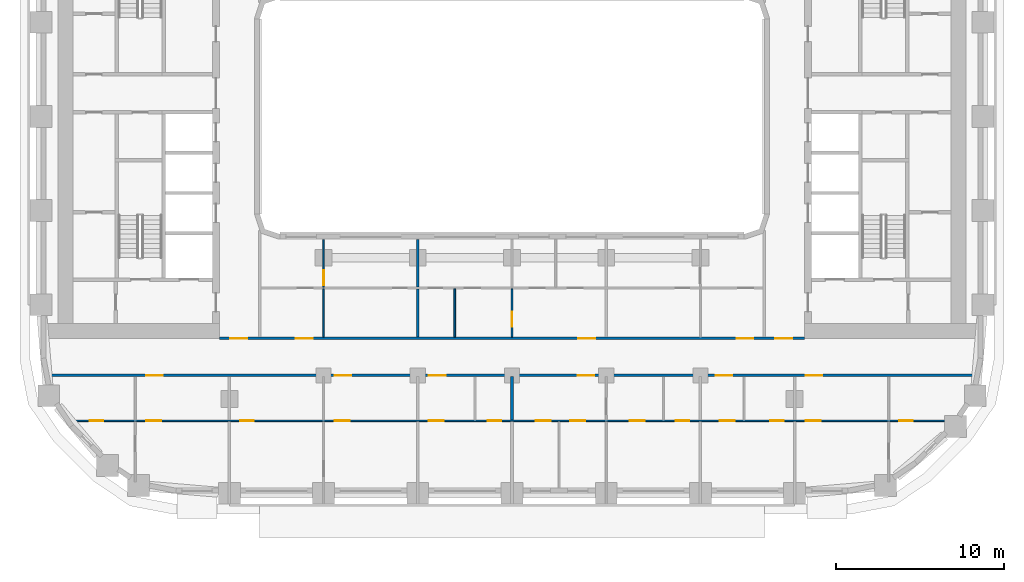
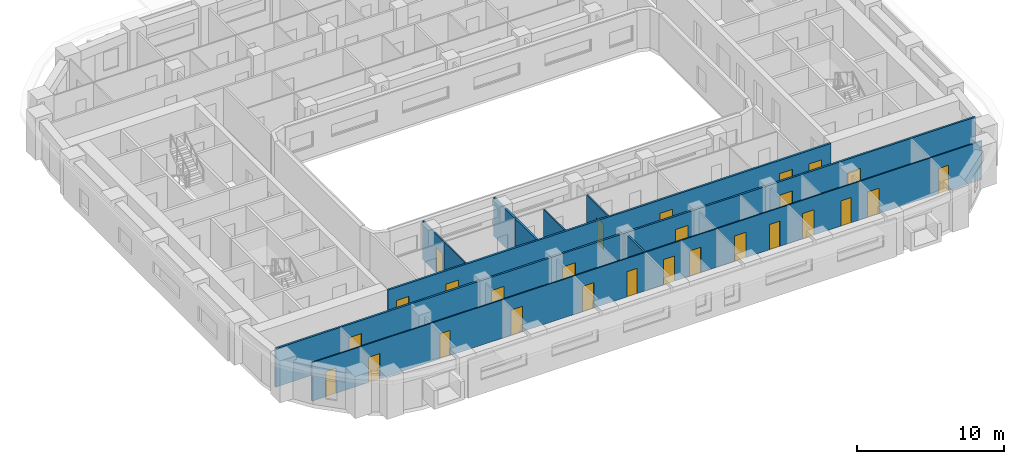
# One storey, part 3 of 22: 27 doors, 10 walls, 27 openings.
"""IFC4 building model written with IfcOpenShell, lengths in metres."""

from ifc_helpers import new_model, si_unit, direction, frame, frame_2d, origin, place, context, subcontext, project, spatial, rectangle, extrude, material, layer, layer_set, type_object, element, fill, save


model = new_model("IFC4")

# Units and contexts
model_context = context("Model", 3, precision=1e-05, world=origin(), true_north=direction((0.0, 1.0)))
body_context = subcontext(model_context, "Body", "Model", "MODEL_VIEW")
ifc_project = project(units=[si_unit("LENGTHUNIT", "METRE"), si_unit("AREAUNIT", "SQUARE_METRE"), si_unit("VOLUMEUNIT", "CUBIC_METRE"), si_unit("PLANEANGLEUNIT", "RADIAN"), si_unit("MASSUNIT", "GRAM", prefix="KILO")], contexts=[model_context])

# Site, building, storey
site_placement = place(None, origin())
site = spatial("IfcSite", under=ifc_project, at=site_placement, CompositionType="ELEMENT")
building_placement = place(site_placement, origin())
building = spatial("IfcBuilding", under=site, at=building_placement, Name="Kiln Ring Residences", CompositionType="ELEMENT")
storey_placement = place(building_placement, frame((0.0, 0.0, 97.300048828125)))
storey = spatial("IfcBuildingStorey", under=building, at=storey_placement, Name="L24", CompositionType="ELEMENT", Elevation=97.300048828125)

# Wall, openings, doors
ifc_material_1 = material(Name="Gypsum board on steel studs", Category="steel")
ifc_layer_1 = layer(ifc_material_1, 0.10009765625)
ifc_layer_set_1 = layer_set([ifc_layer_1], Name="PARTITION-100")
wall_type_1 = type_object("IfcWallType", Name="PARTITION-100", PredefinedType="PARTITIONING", material=ifc_layer_set_1)
wall_1_placement = place(storey_placement, frame((-26.190185546875, -18.10009765625, 0.0), z_axis=(0.0, 0.0, 1.0), x_axis=(1.0, 0.0, 0.0)))
wall_1 = element("IfcWall", 1, at=wall_1_placement, inside=storey, type_object=wall_type_1, Name="Partition 000", PredefinedType="PARTITIONING", context=body_context, shape_type="SweptSolid", body=[
    extrude(rectangle(XDim=52.630126953125, YDim=0.10009765625, at=frame_2d((26.31494140625, 0.0))), origin(), (0.0, 0.0, 1.0), 3.199951171875),
])
opening_1_placement = place(wall_1_placement, frame((1.090087890625, 0.0, 0.0)))
opening_1 = element("IfcOpeningElement", 2, at=opening_1_placement, cuts=wall_1, Name="Opening L24-D058", PredefinedType="OPENING", context=body_context, shape_type="SweptSolid", body=[
    extrude(rectangle(XDim=0.800048828125, YDim=2.10009765625, at=frame_2d((0.39990234375, 1.050048828125))), frame((0.0, 0.06005859375, 0.0), z_axis=(0.0, -1.0, 0.0), x_axis=(1.0, 0.0, 0.0)), (0.0, 0.0, 1.0), 0.1201171875),
])
opening_2_placement = place(wall_1_placement, frame((4.440185546875, 0.0, 0.0)))
opening_2 = element("IfcOpeningElement", 3, at=opening_2_placement, cuts=wall_1, Name="Opening L24-D059", PredefinedType="OPENING", context=body_context, shape_type="SweptSolid", body=[
    extrude(rectangle(XDim=0.89990234375, YDim=2.10009765625, at=frame_2d((0.449951171875, 1.050048828125))), frame((0.0, 0.06005859375, 0.0), z_axis=(0.0, -1.0, 0.0), x_axis=(1.0, 0.0, 0.0)), (0.0, 0.0, 1.0), 0.1201171875),
])
opening_3_placement = place(wall_1_placement, frame((10.0400390625, 0.0, 0.0)))
opening_3 = element("IfcOpeningElement", 4, at=opening_3_placement, cuts=wall_1, Name="Opening L24-D062", PredefinedType="OPENING", context=body_context, shape_type="SweptSolid", body=[
    extrude(rectangle(XDim=0.800048828125, YDim=2.10009765625, at=frame_2d((0.39990234375, 1.050048828125))), frame((0.0, 0.06005859375, 0.0), z_axis=(0.0, -1.0, 0.0), x_axis=(1.0, 0.0, 0.0)), (0.0, 0.0, 1.0), 0.1201171875),
])
opening_4_placement = place(wall_1_placement, frame((15.64013671875, 0.0, 0.0)))
opening_4 = element("IfcOpeningElement", 5, at=opening_4_placement, cuts=wall_1, Name="Opening L24-D063", PredefinedType="OPENING", context=body_context, shape_type="SweptSolid", body=[
    extrude(rectangle(XDim=0.89990234375, YDim=2.10009765625, at=frame_2d((0.449951171875, 1.050048828125))), frame((0.0, 0.06005859375, 0.0), z_axis=(0.0, -1.0, 0.0), x_axis=(1.0, 0.0, 0.0)), (0.0, 0.0, 1.0), 0.1201171875),
])
opening_5_placement = place(wall_1_placement, frame((24.739990234375, 0.0, 0.0)))
opening_5 = element("IfcOpeningElement", 6, at=opening_5_placement, cuts=wall_1, Name="Opening L24-D066", PredefinedType="OPENING", context=body_context, shape_type="SweptSolid", body=[
    extrude(rectangle(XDim=0.800048828125, YDim=2.10009765625, at=frame_2d((0.39990234375, 1.050048828125))), frame((0.0, 0.06005859375, 0.0), z_axis=(0.0, -1.0, 0.0), x_axis=(1.0, 0.0, 0.0)), (0.0, 0.0, 1.0), 0.1201171875),
])
opening_6_placement = place(wall_1_placement, frame((21.239990234375, 0.0, 0.0)))
opening_6 = element("IfcOpeningElement", 7, at=opening_6_placement, cuts=wall_1, Name="Opening L24-D067", PredefinedType="OPENING", context=body_context, shape_type="SweptSolid", body=[
    extrude(rectangle(XDim=0.89990234375, YDim=2.10009765625, at=frame_2d((0.449951171875, 1.050048828125))), frame((0.0, 0.06005859375, 0.0), z_axis=(0.0, -1.0, 0.0), x_axis=(1.0, 0.0, 0.0)), (0.0, 0.0, 1.0), 0.1201171875),
])
opening_7_placement = place(wall_1_placement, frame((35.940185546875, 0.0, 0.0)))
opening_7 = element("IfcOpeningElement", 8, at=opening_7_placement, cuts=wall_1, Name="Opening L24-D070", PredefinedType="OPENING", context=body_context, shape_type="SweptSolid", body=[
    extrude(rectangle(XDim=0.800048828125, YDim=2.10009765625, at=frame_2d((0.39990234375, 1.050048828125))), frame((0.0, 0.06005859375, 0.0), z_axis=(0.0, -1.0, 0.0), x_axis=(1.0, 0.0, 0.0)), (0.0, 0.0, 1.0), 0.1201171875),
])
opening_8_placement = place(wall_1_placement, frame((33.190185546875, 0.0, 0.0)))
opening_8 = element("IfcOpeningElement", 9, at=opening_8_placement, cuts=wall_1, Name="Opening L24-D071", PredefinedType="OPENING", context=body_context, shape_type="SweptSolid", body=[
    extrude(rectangle(XDim=0.89990234375, YDim=2.10009765625, at=frame_2d((0.449951171875, 1.050048828125))), frame((0.0, 0.06005859375, 0.0), z_axis=(0.0, -1.0, 0.0), x_axis=(1.0, 0.0, 0.0)), (0.0, 0.0, 1.0), 0.1201171875),
])
opening_9_placement = place(wall_1_placement, frame((27.590087890625, 0.0, 0.0)))
opening_9 = element("IfcOpeningElement", 10, at=opening_9_placement, cuts=wall_1, Name="Opening L24-D072", PredefinedType="OPENING", context=body_context, shape_type="SweptSolid", body=[
    extrude(rectangle(XDim=0.89990234375, YDim=2.10009765625, at=frame_2d((0.449951171875, 1.050048828125))), frame((0.0, 0.06005859375, 0.0), z_axis=(0.0, -1.0, 0.0), x_axis=(1.0, 0.0, 0.0)), (0.0, 0.0, 1.0), 0.1201171875),
])
opening_10_placement = place(wall_1_placement, frame((29.64013671875, 0.0, 0.0)))
opening_10 = element("IfcOpeningElement", 11, at=opening_10_placement, cuts=wall_1, Name="Opening L24-D073", PredefinedType="OPENING", context=body_context, shape_type="SweptSolid", body=[
    extrude(rectangle(XDim=0.89990234375, YDim=2.10009765625, at=frame_2d((0.449951171875, 1.050048828125))), frame((0.0, 0.06005859375, 0.0), z_axis=(0.0, -1.0, 0.0), x_axis=(1.0, 0.0, 0.0)), (0.0, 0.0, 1.0), 0.1201171875),
])
opening_11_placement = place(wall_1_placement, frame((41.5400390625, 0.0, 0.0)))
opening_11 = element("IfcOpeningElement", 12, at=opening_11_placement, cuts=wall_1, Name="Opening L24-D075", PredefinedType="OPENING", context=body_context, shape_type="SweptSolid", body=[
    extrude(rectangle(XDim=0.800048828125, YDim=2.10009765625, at=frame_2d((0.39990234375, 1.050048828125))), frame((0.0, 0.06005859375, 0.0), z_axis=(0.0, -1.0, 0.0), x_axis=(1.0, 0.0, 0.0)), (0.0, 0.0, 1.0), 0.1201171875),
])
opening_12_placement = place(wall_1_placement, frame((38.5400390625, 0.0, 0.0)))
opening_12 = element("IfcOpeningElement", 13, at=opening_12_placement, cuts=wall_1, Name="Opening L24-D076", PredefinedType="OPENING", context=body_context, shape_type="SweptSolid", body=[
    extrude(rectangle(XDim=0.89990234375, YDim=2.10009765625, at=frame_2d((0.449951171875, 1.050048828125))), frame((0.0, 0.06005859375, 0.0), z_axis=(0.0, -1.0, 0.0), x_axis=(1.0, 0.0, 0.0)), (0.0, 0.0, 1.0), 0.1201171875),
])
opening_13_placement = place(wall_1_placement, frame((49.2041015625, 0.0, 0.0)))
opening_13 = element("IfcOpeningElement", 14, at=opening_13_placement, cuts=wall_1, Name="Opening L24-D078", PredefinedType="OPENING", context=body_context, shape_type="SweptSolid", body=[
    extrude(rectangle(XDim=0.800048828125, YDim=2.10009765625, at=frame_2d((0.39990234375, 1.050048828125))), frame((0.0, 0.06005859375, 0.0), z_axis=(0.0, -1.0, 0.0), x_axis=(1.0, 0.0, 0.0)), (0.0, 0.0, 1.0), 0.1201171875),
])
opening_14_placement = place(wall_1_placement, frame((43.64013671875, 0.0, 0.0)))
opening_14 = element("IfcOpeningElement", 15, at=opening_14_placement, cuts=wall_1, Name="Opening L24-D079", PredefinedType="OPENING", context=body_context, shape_type="SweptSolid", body=[
    extrude(rectangle(XDim=0.89990234375, YDim=2.10009765625, at=frame_2d((0.449951171875, 1.050048828125))), frame((0.0, 0.06005859375, 0.0), z_axis=(0.0, -1.0, 0.0), x_axis=(1.0, 0.0, 0.0)), (0.0, 0.0, 1.0), 0.1201171875),
])
ifc_material_2 = material(Name="Timber door leaf", Category="wood")
door_type_1 = type_object("IfcDoorType", Name="FLAT-DOOR-800-PL", OperationType="SINGLE_SWING_LEFT", PredefinedType="DOOR", material=ifc_material_2)
door_1_placement = place(opening_1_placement, origin())
door_1 = element("IfcDoor", 16, at=door_1_placement, inside=storey, type_object=door_type_1, Name="Door L24-D058", OperationType="SINGLE_SWING_RIGHT", OverallHeight=2.10009765625, OverallWidth=0.800048828125, PredefinedType="DOOR", context=body_context, shape_type="SweptSolid", body=[
    extrude(rectangle(XDim=0.800048828125, YDim=2.10009765625, at=frame_2d((0.39990234375, 1.050048828125))), frame((0.0, 0.02490234375, 0.0), z_axis=(0.0, -1.0, 0.0), x_axis=(1.0, 0.0, 0.0)), (0.0, 0.0, 1.0), 0.050048828125),
])
fill(opening_1, door_1)
door_2_placement = place(opening_3_placement, origin())
door_2 = element("IfcDoor", 17, at=door_2_placement, inside=storey, type_object=door_type_1, Name="Door L24-D062", OperationType="SINGLE_SWING_RIGHT", OverallHeight=2.10009765625, OverallWidth=0.800048828125, PredefinedType="DOOR", context=body_context, shape_type="SweptSolid", body=[
    extrude(rectangle(XDim=0.800048828125, YDim=2.10009765625, at=frame_2d((0.39990234375, 1.050048828125))), frame((0.0, 0.02490234375, 0.0), z_axis=(0.0, -1.0, 0.0), x_axis=(1.0, 0.0, 0.0)), (0.0, 0.0, 1.0), 0.050048828125),
])
fill(opening_3, door_2)
door_3_placement = place(opening_5_placement, origin())
door_3 = element("IfcDoor", 18, at=door_3_placement, inside=storey, type_object=door_type_1, Name="Door L24-D066", OperationType="SINGLE_SWING_RIGHT", OverallHeight=2.10009765625, OverallWidth=0.800048828125, PredefinedType="DOOR", context=body_context, shape_type="SweptSolid", body=[
    extrude(rectangle(XDim=0.800048828125, YDim=2.10009765625, at=frame_2d((0.39990234375, 1.050048828125))), frame((0.0, 0.02490234375, 0.0), z_axis=(0.0, -1.0, 0.0), x_axis=(1.0, 0.0, 0.0)), (0.0, 0.0, 1.0), 0.050048828125),
])
fill(opening_5, door_3)
door_4_placement = place(opening_7_placement, origin())
door_4 = element("IfcDoor", 19, at=door_4_placement, inside=storey, type_object=door_type_1, Name="Door L24-D070", OperationType="SINGLE_SWING_RIGHT", OverallHeight=2.10009765625, OverallWidth=0.800048828125, PredefinedType="DOOR", context=body_context, shape_type="SweptSolid", body=[
    extrude(rectangle(XDim=0.800048828125, YDim=2.10009765625, at=frame_2d((0.39990234375, 1.050048828125))), frame((0.0, 0.02490234375, 0.0), z_axis=(0.0, -1.0, 0.0), x_axis=(1.0, 0.0, 0.0)), (0.0, 0.0, 1.0), 0.050048828125),
])
fill(opening_7, door_4)
door_5_placement = place(opening_11_placement, origin())
door_5 = element("IfcDoor", 20, at=door_5_placement, inside=storey, type_object=door_type_1, Name="Door L24-D075", OperationType="SINGLE_SWING_LEFT", OverallHeight=2.10009765625, OverallWidth=0.800048828125, PredefinedType="DOOR", context=body_context, shape_type="SweptSolid", body=[
    extrude(rectangle(XDim=0.800048828125, YDim=2.10009765625, at=frame_2d((0.39990234375, 1.050048828125))), frame((0.0, 0.02490234375, 0.0), z_axis=(0.0, -1.0, 0.0), x_axis=(1.0, 0.0, 0.0)), (0.0, 0.0, 1.0), 0.050048828125),
])
fill(opening_11, door_5)
door_6_placement = place(opening_13_placement, origin())
door_6 = element("IfcDoor", 21, at=door_6_placement, inside=storey, type_object=door_type_1, Name="Door L24-D078", OperationType="SINGLE_SWING_RIGHT", OverallHeight=2.10009765625, OverallWidth=0.800048828125, PredefinedType="DOOR", context=body_context, shape_type="SweptSolid", body=[
    extrude(rectangle(XDim=0.800048828125, YDim=2.10009765625, at=frame_2d((0.39990234375, 1.050048828125))), frame((0.0, 0.02490234375, 0.0), z_axis=(0.0, -1.0, 0.0), x_axis=(1.0, 0.0, 0.0)), (0.0, 0.0, 1.0), 0.050048828125),
])
fill(opening_13, door_6)
ifc_material_3 = material(Name="Timber door leaf", Category="wood")
door_type_2 = type_object("IfcDoorType", Name="FLAT-DOOR-900-PL", OperationType="SINGLE_SWING_LEFT", PredefinedType="DOOR", material=ifc_material_3)
door_7_placement = place(opening_2_placement, origin())
door_7 = element("IfcDoor", 22, at=door_7_placement, inside=storey, type_object=door_type_2, Name="Door L24-D059", OperationType="SINGLE_SWING_LEFT", OverallHeight=2.10009765625, OverallWidth=0.89990234375, PredefinedType="DOOR", context=body_context, shape_type="SweptSolid", body=[
    extrude(rectangle(XDim=0.89990234375, YDim=2.10009765625, at=frame_2d((0.449951171875, 1.050048828125))), frame((0.0, 0.02490234375, 0.0), z_axis=(0.0, -1.0, 0.0), x_axis=(1.0, 0.0, 0.0)), (0.0, 0.0, 1.0), 0.050048828125),
])
fill(opening_2, door_7)
door_8_placement = place(opening_4_placement, origin())
door_8 = element("IfcDoor", 23, at=door_8_placement, inside=storey, type_object=door_type_2, Name="Door L24-D063", OperationType="SINGLE_SWING_LEFT", OverallHeight=2.10009765625, OverallWidth=0.89990234375, PredefinedType="DOOR", context=body_context, shape_type="SweptSolid", body=[
    extrude(rectangle(XDim=0.89990234375, YDim=2.10009765625, at=frame_2d((0.449951171875, 1.050048828125))), frame((0.0, 0.02490234375, 0.0), z_axis=(0.0, -1.0, 0.0), x_axis=(1.0, 0.0, 0.0)), (0.0, 0.0, 1.0), 0.050048828125),
])
fill(opening_4, door_8)
door_9_placement = place(opening_6_placement, origin())
door_9 = element("IfcDoor", 24, at=door_9_placement, inside=storey, type_object=door_type_2, Name="Door L24-D067", OperationType="SINGLE_SWING_LEFT", OverallHeight=2.10009765625, OverallWidth=0.89990234375, PredefinedType="DOOR", context=body_context, shape_type="SweptSolid", body=[
    extrude(rectangle(XDim=0.89990234375, YDim=2.10009765625, at=frame_2d((0.449951171875, 1.050048828125))), frame((0.0, 0.02490234375, 0.0), z_axis=(0.0, -1.0, 0.0), x_axis=(1.0, 0.0, 0.0)), (0.0, 0.0, 1.0), 0.050048828125),
])
fill(opening_6, door_9)
door_10_placement = place(opening_8_placement, origin())
door_10 = element("IfcDoor", 25, at=door_10_placement, inside=storey, type_object=door_type_2, Name="Door L24-D071", OperationType="SINGLE_SWING_LEFT", OverallHeight=2.10009765625, OverallWidth=0.89990234375, PredefinedType="DOOR", context=body_context, shape_type="SweptSolid", body=[
    extrude(rectangle(XDim=0.89990234375, YDim=2.10009765625, at=frame_2d((0.449951171875, 1.050048828125))), frame((0.0, 0.02490234375, 0.0), z_axis=(0.0, -1.0, 0.0), x_axis=(1.0, 0.0, 0.0)), (0.0, 0.0, 1.0), 0.050048828125),
])
fill(opening_8, door_10)
door_11_placement = place(opening_9_placement, origin())
door_11 = element("IfcDoor", 26, at=door_11_placement, inside=storey, type_object=door_type_2, Name="Door L24-D072", OperationType="SINGLE_SWING_RIGHT", OverallHeight=2.10009765625, OverallWidth=0.89990234375, PredefinedType="DOOR", context=body_context, shape_type="SweptSolid", body=[
    extrude(rectangle(XDim=0.89990234375, YDim=2.10009765625, at=frame_2d((0.449951171875, 1.050048828125))), frame((0.0, 0.02490234375, 0.0), z_axis=(0.0, -1.0, 0.0), x_axis=(1.0, 0.0, 0.0)), (0.0, 0.0, 1.0), 0.050048828125),
])
fill(opening_9, door_11)
door_12_placement = place(opening_10_placement, origin())
door_12 = element("IfcDoor", 27, at=door_12_placement, inside=storey, type_object=door_type_2, Name="Door L24-D073", OperationType="SINGLE_SWING_LEFT", OverallHeight=2.10009765625, OverallWidth=0.89990234375, PredefinedType="DOOR", context=body_context, shape_type="SweptSolid", body=[
    extrude(rectangle(XDim=0.89990234375, YDim=2.10009765625, at=frame_2d((0.449951171875, 1.050048828125))), frame((0.0, 0.02490234375, 0.0), z_axis=(0.0, -1.0, 0.0), x_axis=(1.0, 0.0, 0.0)), (0.0, 0.0, 1.0), 0.050048828125),
])
fill(opening_10, door_12)
door_13_placement = place(opening_12_placement, origin())
door_13 = element("IfcDoor", 28, at=door_13_placement, inside=storey, type_object=door_type_2, Name="Door L24-D076", OperationType="SINGLE_SWING_RIGHT", OverallHeight=2.10009765625, OverallWidth=0.89990234375, PredefinedType="DOOR", context=body_context, shape_type="SweptSolid", body=[
    extrude(rectangle(XDim=0.89990234375, YDim=2.10009765625, at=frame_2d((0.449951171875, 1.050048828125))), frame((0.0, 0.02490234375, 0.0), z_axis=(0.0, -1.0, 0.0), x_axis=(1.0, 0.0, 0.0)), (0.0, 0.0, 1.0), 0.050048828125),
])
fill(opening_12, door_13)
door_14_placement = place(opening_14_placement, origin())
door_14 = element("IfcDoor", 29, at=door_14_placement, inside=storey, type_object=door_type_2, Name="Door L24-D079", OperationType="SINGLE_SWING_LEFT", OverallHeight=2.10009765625, OverallWidth=0.89990234375, PredefinedType="DOOR", context=body_context, shape_type="SweptSolid", body=[
    extrude(rectangle(XDim=0.89990234375, YDim=2.10009765625, at=frame_2d((0.449951171875, 1.050048828125))), frame((0.0, 0.02490234375, 0.0), z_axis=(0.0, -1.0, 0.0), x_axis=(1.0, 0.0, 0.0)), (0.0, 0.0, 1.0), 0.050048828125),
])
fill(opening_14, door_14)

# Wall
wall_2_placement = place(storey_placement, frame((-11.199951171875, -13.125, 0.0), z_axis=(0.0, 0.0, 1.0), x_axis=(0.0, 1.0, 0.0)))
element("IfcWall", 30, at=wall_2_placement, inside=storey, type_object=wall_type_1, Name="Partition 021", PredefinedType="PARTITIONING", context=body_context, shape_type="SweptSolid", body=[
    extrude(rectangle(XDim=2.875, YDim=0.10009765625, at=frame_2d((1.4375, 0.0))), origin(), (0.0, 0.0, 1.0), 3.199951171875),
])

# Wall, opening, door
wall_3_placement = place(storey_placement, frame((-11.199951171875, -10.14990234375, 0.0), z_axis=(0.0, 0.0, 1.0), x_axis=(0.0, 1.0, 0.0)))
wall_3 = element("IfcWall", 31, at=wall_3_placement, inside=storey, type_object=wall_type_1, Name="Partition 022", PredefinedType="PARTITIONING", context=body_context, shape_type="SweptSolid", body=[
    extrude(rectangle(XDim=2.829833984375, YDim=0.10009765625, at=frame_2d((1.4150390625, 0.0))), origin(), (0.0, 0.0, 1.0), 3.199951171875),
])
opening_15_placement = place(wall_3_placement, frame((0.10009765625, 0.0, 0.0)))
opening_15 = element("IfcOpeningElement", 32, at=opening_15_placement, cuts=wall_3, Name="Opening L24-D046", PredefinedType="OPENING", context=body_context, shape_type="SweptSolid", body=[
    extrude(rectangle(XDim=0.89990234375, YDim=2.10009765625, at=frame_2d((0.449951171875, 1.050048828125))), frame((0.0, 0.06005859375, 0.0), z_axis=(0.0, -1.0, 0.0), x_axis=(1.0, 0.0, 0.0)), (0.0, 0.0, 1.0), 0.1201171875),
])
door_15_placement = place(opening_15_placement, origin())
door_15 = element("IfcDoor", 33, at=door_15_placement, inside=storey, type_object=door_type_2, Name="Door L24-D046", OperationType="SINGLE_SWING_LEFT", OverallHeight=2.10009765625, OverallWidth=0.89990234375, PredefinedType="DOOR", context=body_context, shape_type="SweptSolid", body=[
    extrude(rectangle(XDim=0.89990234375, YDim=2.10009765625, at=frame_2d((0.449951171875, 1.050048828125))), frame((0.0, 0.02490234375, 0.0), z_axis=(0.0, -1.0, 0.0), x_axis=(1.0, 0.0, 0.0)), (0.0, 0.0, 1.0), 0.050048828125),
])
fill(opening_15, door_15)

# Wall
wall_4_placement = place(storey_placement, frame((-3.39990234375, -13.125, 0.0), z_axis=(0.0, 0.0, 1.0), x_axis=(0.0, 1.0, 0.0)))
element("IfcWall", 34, at=wall_4_placement, inside=storey, type_object=wall_type_1, Name="Partition 036", PredefinedType="PARTITIONING", context=body_context, shape_type="SweptSolid", body=[
    extrude(rectangle(XDim=2.875, YDim=0.10009765625, at=frame_2d((1.4375, 0.0))), origin(), (0.0, 0.0, 1.0), 3.199951171875),
])

# Wall, opening, door
wall_5_placement = place(storey_placement, frame((0.0, -13.125, 0.0), z_axis=(0.0, 0.0, 1.0), x_axis=(0.0, 1.0, 0.0)))
wall_5 = element("IfcWall", 35, at=wall_5_placement, inside=storey, type_object=wall_type_1, Name="Partition 040", PredefinedType="PARTITIONING", context=body_context, shape_type="SweptSolid", body=[
    extrude(rectangle(XDim=2.875, YDim=0.10009765625, at=frame_2d((1.4375, 0.0))), origin(), (0.0, 0.0, 1.0), 3.199951171875),
])
opening_16_placement = place(wall_5_placement, frame((0.625, 0.0, 0.0)))
opening_16 = element("IfcOpeningElement", 36, at=opening_16_placement, cuts=wall_5, Name="Opening L24-D048", PredefinedType="OPENING", context=body_context, shape_type="SweptSolid", body=[
    extrude(rectangle(XDim=0.89990234375, YDim=2.10009765625, at=frame_2d((0.449951171875, 1.050048828125))), frame((0.0, 0.06005859375, 0.0), z_axis=(0.0, -1.0, 0.0), x_axis=(1.0, 0.0, 0.0)), (0.0, 0.0, 1.0), 0.1201171875),
])
door_16_placement = place(opening_16_placement, origin())
door_16 = element("IfcDoor", 37, at=door_16_placement, inside=storey, type_object=door_type_2, Name="Door L24-D048", OperationType="SINGLE_SWING_RIGHT", OverallHeight=2.10009765625, OverallWidth=0.89990234375, PredefinedType="DOOR", context=body_context, shape_type="SweptSolid", body=[
    extrude(rectangle(XDim=0.89990234375, YDim=2.10009765625, at=frame_2d((0.449951171875, 1.050048828125))), frame((0.0, 0.02490234375, 0.0), z_axis=(0.0, -1.0, 0.0), x_axis=(1.0, 0.0, 0.0)), (0.0, 0.0, 1.0), 0.050048828125),
])
fill(opening_16, door_16)

# Wall, openings, doors
ifc_material_4 = material(Name="Brick masonry partition", Category="masonry")
ifc_layer_2 = layer(ifc_material_4, 0.14990234375)
ifc_layer_set_2 = layer_set([ifc_layer_2], Name="PARTITION-150-ei60")
wall_type_2 = type_object("IfcWallType", Name="PARTITION-150-ei60", PredefinedType="PARTITIONING", material=ifc_layer_set_2)
wall_6_placement = place(storey_placement, frame((-27.48388671875, -15.39990234375, 0.0), z_axis=(0.0, 0.0, 1.0), x_axis=(1.0, 0.0, 0.0)))
wall_6 = element("IfcWall", 38, at=wall_6_placement, inside=storey, type_object=wall_type_2, Name="Partition 001", PredefinedType="PARTITIONING", context=body_context, shape_type="SweptSolid", body=[
    extrude(rectangle(XDim=54.9677734375, YDim=0.14990234375, at=frame_2d((27.48388671875, 0.0))), origin(), (0.0, 0.0, 1.0), 3.199951171875),
])
opening_17_placement = place(wall_6_placement, frame((5.73388671875, 0.0, 0.0)))
opening_17 = element("IfcOpeningElement", 39, at=opening_17_placement, cuts=wall_6, Name="Opening L24-D057", PredefinedType="OPENING", context=body_context, shape_type="SweptSolid", body=[
    extrude(rectangle(XDim=1.0, YDim=2.10009765625, at=frame_2d((0.5, 1.050048828125))), frame((0.0, 0.0849609375, 0.0), z_axis=(0.0, -1.0, 0.0), x_axis=(1.0, 0.0, 0.0)), (0.0, 0.0, 1.0), 0.169921875),
])
opening_18_placement = place(wall_6_placement, frame((16.933837890625, 0.0, 0.0)))
opening_18 = element("IfcOpeningElement", 40, at=opening_18_placement, cuts=wall_6, Name="Opening L24-D061", PredefinedType="OPENING", context=body_context, shape_type="SweptSolid", body=[
    extrude(rectangle(XDim=1.0, YDim=2.10009765625, at=frame_2d((0.5, 1.050048828125))), frame((0.0, 0.0849609375, 0.0), z_axis=(0.0, -1.0, 0.0), x_axis=(1.0, 0.0, 0.0)), (0.0, 0.0, 1.0), 0.169921875),
])
opening_19_placement = place(wall_6_placement, frame((22.53369140625, 0.0, 0.0)))
opening_19 = element("IfcOpeningElement", 41, at=opening_19_placement, cuts=wall_6, Name="Opening L24-D065", PredefinedType="OPENING", context=body_context, shape_type="SweptSolid", body=[
    extrude(rectangle(XDim=1.0, YDim=2.10009765625, at=frame_2d((0.5, 1.050048828125))), frame((0.0, 0.0849609375, 0.0), z_axis=(0.0, -1.0, 0.0), x_axis=(1.0, 0.0, 0.0)), (0.0, 0.0, 1.0), 0.169921875),
])
opening_20_placement = place(wall_6_placement, frame((31.3837890625, 0.0, 0.0)))
opening_20 = element("IfcOpeningElement", 42, at=opening_20_placement, cuts=wall_6, Name="Opening L24-D068", PredefinedType="OPENING", context=body_context, shape_type="SweptSolid", body=[
    extrude(rectangle(XDim=1.0, YDim=2.10009765625, at=frame_2d((0.5, 1.050048828125))), frame((0.0, 0.0849609375, 0.0), z_axis=(0.0, -1.0, 0.0), x_axis=(1.0, 0.0, 0.0)), (0.0, 0.0, 1.0), 0.169921875),
])
opening_21_placement = place(wall_6_placement, frame((39.583740234375, 0.0, 0.0)))
opening_21 = element("IfcOpeningElement", 43, at=opening_21_placement, cuts=wall_6, Name="Opening L24-D074", PredefinedType="OPENING", context=body_context, shape_type="SweptSolid", body=[
    extrude(rectangle(XDim=1.0, YDim=2.10009765625, at=frame_2d((0.5, 1.050048828125))), frame((0.0, 0.0849609375, 0.0), z_axis=(0.0, -1.0, 0.0), x_axis=(1.0, 0.0, 0.0)), (0.0, 0.0, 1.0), 0.169921875),
])
opening_22_placement = place(wall_6_placement, frame((44.933837890625, 0.0, 0.0)))
opening_22 = element("IfcOpeningElement", 44, at=opening_22_placement, cuts=wall_6, Name="Opening L24-D077", PredefinedType="OPENING", context=body_context, shape_type="SweptSolid", body=[
    extrude(rectangle(XDim=1.0, YDim=2.10009765625, at=frame_2d((0.5, 1.050048828125))), frame((0.0, 0.0849609375, 0.0), z_axis=(0.0, -1.0, 0.0), x_axis=(1.0, 0.0, 0.0)), (0.0, 0.0, 1.0), 0.169921875),
])
ifc_material_5 = material(Name="Steel faced fire door leaf", Category="steel")
door_type_3 = type_object("IfcDoorType", Name="FLAT-DOOR-1000-FR", OperationType="SINGLE_SWING_LEFT", PredefinedType="DOOR", material=ifc_material_5)
door_17_placement = place(opening_17_placement, origin())
door_17 = element("IfcDoor", 45, at=door_17_placement, inside=storey, type_object=door_type_3, Name="Door L24-D057", OperationType="SINGLE_SWING_LEFT", OverallHeight=2.10009765625, OverallWidth=1.0, PredefinedType="DOOR", context=body_context, shape_type="SweptSolid", body=[
    extrude(rectangle(XDim=1.0, YDim=2.10009765625, at=frame_2d((0.5, 1.050048828125))), frame((0.0, 0.02490234375, 0.0), z_axis=(0.0, -1.0, 0.0), x_axis=(1.0, 0.0, 0.0)), (0.0, 0.0, 1.0), 0.050048828125),
])
fill(opening_17, door_17)
door_18_placement = place(opening_18_placement, origin())
door_18 = element("IfcDoor", 46, at=door_18_placement, inside=storey, type_object=door_type_3, Name="Door L24-D061", OperationType="SINGLE_SWING_LEFT", OverallHeight=2.10009765625, OverallWidth=1.0, PredefinedType="DOOR", context=body_context, shape_type="SweptSolid", body=[
    extrude(rectangle(XDim=1.0, YDim=2.10009765625, at=frame_2d((0.5, 1.050048828125))), frame((0.0, 0.02490234375, 0.0), z_axis=(0.0, -1.0, 0.0), x_axis=(1.0, 0.0, 0.0)), (0.0, 0.0, 1.0), 0.050048828125),
])
fill(opening_18, door_18)
door_19_placement = place(opening_19_placement, origin())
door_19 = element("IfcDoor", 47, at=door_19_placement, inside=storey, type_object=door_type_3, Name="Door L24-D065", OperationType="SINGLE_SWING_LEFT", OverallHeight=2.10009765625, OverallWidth=1.0, PredefinedType="DOOR", context=body_context, shape_type="SweptSolid", body=[
    extrude(rectangle(XDim=1.0, YDim=2.10009765625, at=frame_2d((0.5, 1.050048828125))), frame((0.0, 0.02490234375, 0.0), z_axis=(0.0, -1.0, 0.0), x_axis=(1.0, 0.0, 0.0)), (0.0, 0.0, 1.0), 0.050048828125),
])
fill(opening_19, door_19)
door_20_placement = place(opening_20_placement, origin())
door_20 = element("IfcDoor", 48, at=door_20_placement, inside=storey, type_object=door_type_3, Name="Door L24-D068", OperationType="SINGLE_SWING_RIGHT", OverallHeight=2.10009765625, OverallWidth=1.0, PredefinedType="DOOR", context=body_context, shape_type="SweptSolid", body=[
    extrude(rectangle(XDim=1.0, YDim=2.10009765625, at=frame_2d((0.5, 1.050048828125))), frame((0.0, 0.02490234375, 0.0), z_axis=(0.0, -1.0, 0.0), x_axis=(1.0, 0.0, 0.0)), (0.0, 0.0, 1.0), 0.050048828125),
])
fill(opening_20, door_20)
door_21_placement = place(opening_21_placement, origin())
door_21 = element("IfcDoor", 49, at=door_21_placement, inside=storey, type_object=door_type_3, Name="Door L24-D074", OperationType="SINGLE_SWING_RIGHT", OverallHeight=2.10009765625, OverallWidth=1.0, PredefinedType="DOOR", context=body_context, shape_type="SweptSolid", body=[
    extrude(rectangle(XDim=1.0, YDim=2.10009765625, at=frame_2d((0.5, 1.050048828125))), frame((0.0, 0.02490234375, 0.0), z_axis=(0.0, -1.0, 0.0), x_axis=(1.0, 0.0, 0.0)), (0.0, 0.0, 1.0), 0.050048828125),
])
fill(opening_21, door_21)
door_22_placement = place(opening_22_placement, origin())
door_22 = element("IfcDoor", 50, at=door_22_placement, inside=storey, type_object=door_type_3, Name="Door L24-D077", OperationType="SINGLE_SWING_LEFT", OverallHeight=2.10009765625, OverallWidth=1.0, PredefinedType="DOOR", context=body_context, shape_type="SweptSolid", body=[
    extrude(rectangle(XDim=1.0, YDim=2.10009765625, at=frame_2d((0.5, 1.050048828125))), frame((0.0, 0.02490234375, 0.0), z_axis=(0.0, -1.0, 0.0), x_axis=(1.0, 0.0, 0.0)), (0.0, 0.0, 1.0), 0.050048828125),
])
fill(opening_22, door_22)

wall_7_placement = place(storey_placement, frame((-17.39990234375, -13.199951171875, 0.0), z_axis=(0.0, 0.0, 1.0), x_axis=(1.0, 0.0, 0.0)))
wall_7 = element("IfcWall", 51, at=wall_7_placement, inside=storey, type_object=wall_type_2, Name="Partition 002", PredefinedType="PARTITIONING", context=body_context, shape_type="SweptSolid", body=[
    extrude(rectangle(XDim=34.7998046875, YDim=0.14990234375, at=frame_2d((17.39990234375, 0.0))), origin(), (0.0, 0.0, 1.0), 3.199951171875),
])
opening_23_placement = place(wall_7_placement, frame((0.64990234375, 0.0, 0.0)))
opening_23 = element("IfcOpeningElement", 52, at=opening_23_placement, cuts=wall_7, Name="Opening L24-D003", PredefinedType="OPENING", context=body_context, shape_type="SweptSolid", body=[
    extrude(rectangle(XDim=1.0, YDim=2.10009765625, at=frame_2d((0.5, 1.050048828125))), frame((0.0, 0.0849609375, 0.0), z_axis=(0.0, -1.0, 0.0), x_axis=(1.0, 0.0, 0.0)), (0.0, 0.0, 1.0), 0.169921875),
])
opening_24_placement = place(wall_7_placement, frame((33.050048828125, 0.0, 0.0)))
opening_24 = element("IfcOpeningElement", 53, at=opening_24_placement, cuts=wall_7, Name="Opening L24-D004", PredefinedType="OPENING", context=body_context, shape_type="SweptSolid", body=[
    extrude(rectangle(XDim=1.0, YDim=2.10009765625, at=frame_2d((0.5, 1.050048828125))), frame((0.0, 0.0849609375, 0.0), z_axis=(0.0, -1.0, 0.0), x_axis=(1.0, 0.0, 0.0)), (0.0, 0.0, 1.0), 0.169921875),
])
opening_25_placement = place(wall_7_placement, frame((4.550048828125, 0.0, 0.0)))
opening_25 = element("IfcOpeningElement", 54, at=opening_25_placement, cuts=wall_7, Name="Opening L24-D043", PredefinedType="OPENING", context=body_context, shape_type="SweptSolid", body=[
    extrude(rectangle(XDim=1.0, YDim=2.10009765625, at=frame_2d((0.5, 1.050048828125))), frame((0.0, 0.0849609375, 0.0), z_axis=(0.0, -1.0, 0.0), x_axis=(1.0, 0.0, 0.0)), (0.0, 0.0, 1.0), 0.169921875),
])
opening_26_placement = place(wall_7_placement, frame((21.35009765625, 0.0, 0.0)))
opening_26 = element("IfcOpeningElement", 55, at=opening_26_placement, cuts=wall_7, Name="Opening L24-D047", PredefinedType="OPENING", context=body_context, shape_type="SweptSolid", body=[
    extrude(rectangle(XDim=1.0, YDim=2.10009765625, at=frame_2d((0.5, 1.050048828125))), frame((0.0, 0.0849609375, 0.0), z_axis=(0.0, -1.0, 0.0), x_axis=(1.0, 0.0, 0.0)), (0.0, 0.0, 1.0), 0.169921875),
])
opening_27_placement = place(wall_7_placement, frame((30.75, 0.0, 0.0)))
opening_27 = element("IfcOpeningElement", 56, at=opening_27_placement, cuts=wall_7, Name="Opening L24-D053", PredefinedType="OPENING", context=body_context, shape_type="SweptSolid", body=[
    extrude(rectangle(XDim=1.0, YDim=2.10009765625, at=frame_2d((0.5, 1.050048828125))), frame((0.0, 0.0849609375, 0.0), z_axis=(0.0, -1.0, 0.0), x_axis=(1.0, 0.0, 0.0)), (0.0, 0.0, 1.0), 0.169921875),
])
door_23_placement = place(opening_23_placement, origin())
door_23 = element("IfcDoor", 57, at=door_23_placement, inside=storey, type_object=door_type_3, Name="Door L24-D003", OperationType="SINGLE_SWING_RIGHT", OverallHeight=2.10009765625, OverallWidth=1.0, PredefinedType="DOOR", context=body_context, shape_type="SweptSolid", body=[
    extrude(rectangle(XDim=1.0, YDim=2.10009765625, at=frame_2d((0.5, 1.050048828125))), frame((0.0, 0.02490234375, 0.0), z_axis=(0.0, -1.0, 0.0), x_axis=(1.0, 0.0, 0.0)), (0.0, 0.0, 1.0), 0.050048828125),
])
fill(opening_23, door_23)
door_24_placement = place(opening_24_placement, origin())
door_24 = element("IfcDoor", 58, at=door_24_placement, inside=storey, type_object=door_type_3, Name="Door L24-D004", OperationType="SINGLE_SWING_LEFT", OverallHeight=2.10009765625, OverallWidth=1.0, PredefinedType="DOOR", context=body_context, shape_type="SweptSolid", body=[
    extrude(rectangle(XDim=1.0, YDim=2.10009765625, at=frame_2d((0.5, 1.050048828125))), frame((0.0, 0.02490234375, 0.0), z_axis=(0.0, -1.0, 0.0), x_axis=(1.0, 0.0, 0.0)), (0.0, 0.0, 1.0), 0.050048828125),
])
fill(opening_24, door_24)
door_25_placement = place(opening_25_placement, origin())
door_25 = element("IfcDoor", 59, at=door_25_placement, inside=storey, type_object=door_type_3, Name="Door L24-D043", OperationType="SINGLE_SWING_LEFT", OverallHeight=2.10009765625, OverallWidth=1.0, PredefinedType="DOOR", context=body_context, shape_type="SweptSolid", body=[
    extrude(rectangle(XDim=1.0, YDim=2.10009765625, at=frame_2d((0.5, 1.050048828125))), frame((0.0, 0.02490234375, 0.0), z_axis=(0.0, -1.0, 0.0), x_axis=(1.0, 0.0, 0.0)), (0.0, 0.0, 1.0), 0.050048828125),
])
fill(opening_25, door_25)
door_26_placement = place(opening_26_placement, origin())
door_26 = element("IfcDoor", 60, at=door_26_placement, inside=storey, type_object=door_type_3, Name="Door L24-D047", OperationType="SINGLE_SWING_LEFT", OverallHeight=2.10009765625, OverallWidth=1.0, PredefinedType="DOOR", context=body_context, shape_type="SweptSolid", body=[
    extrude(rectangle(XDim=1.0, YDim=2.10009765625, at=frame_2d((0.5, 1.050048828125))), frame((0.0, 0.02490234375, 0.0), z_axis=(0.0, -1.0, 0.0), x_axis=(1.0, 0.0, 0.0)), (0.0, 0.0, 1.0), 0.050048828125),
])
fill(opening_26, door_26)
door_27_placement = place(opening_27_placement, origin())
door_27 = element("IfcDoor", 61, at=door_27_placement, inside=storey, type_object=door_type_3, Name="Door L24-D053", OperationType="SINGLE_SWING_LEFT", OverallHeight=2.10009765625, OverallWidth=1.0, PredefinedType="DOOR", context=body_context, shape_type="SweptSolid", body=[
    extrude(rectangle(XDim=1.0, YDim=2.10009765625, at=frame_2d((0.5, 1.050048828125))), frame((0.0, 0.02490234375, 0.0), z_axis=(0.0, -1.0, 0.0), x_axis=(1.0, 0.0, 0.0)), (0.0, 0.0, 1.0), 0.050048828125),
])
fill(opening_27, door_27)

# Walls
wall_8_placement = place(storey_placement, frame((-5.60009765625, -13.125, 0.0), z_axis=(0.0, 0.0, 1.0), x_axis=(0.0, 1.0, 0.0)))
element("IfcWall", 62, at=wall_8_placement, inside=storey, type_object=wall_type_2, Name="Partition 030", PredefinedType="PARTITIONING", context=body_context, shape_type="SweptSolid", body=[
    extrude(rectangle(XDim=2.875, YDim=0.14990234375, at=frame_2d((1.4375, 0.0))), origin(), (0.0, 0.0, 1.0), 3.199951171875),
])
wall_9_placement = place(storey_placement, frame((-5.60009765625, -10.14990234375, 0.0), z_axis=(0.0, 0.0, 1.0), x_axis=(0.0, 1.0, 0.0)))
element("IfcWall", 63, at=wall_9_placement, inside=storey, type_object=wall_type_2, Name="Partition 031", PredefinedType="PARTITIONING", context=body_context, shape_type="SweptSolid", body=[
    extrude(rectangle(XDim=2.829833984375, YDim=0.14990234375, at=frame_2d((1.4150390625, 0.0))), origin(), (0.0, 0.0, 1.0), 3.199951171875),
])
wall_10_placement = place(storey_placement, frame((0.0, -18.050048828125, 0.0), z_axis=(0.0, 0.0, 1.0), x_axis=(0.0, 1.0, 0.0)))
element("IfcWall", 64, at=wall_10_placement, inside=storey, type_object=wall_type_2, Name="Partition 043", PredefinedType="PARTITIONING", context=body_context, shape_type="SweptSolid", body=[
    extrude(rectangle(XDim=2.574951171875, YDim=0.14990234375, at=frame_2d((1.28759765625, 0.0))), origin(), (0.0, 0.0, 1.0), 3.199951171875),
])

save(model, "model.ifc")
